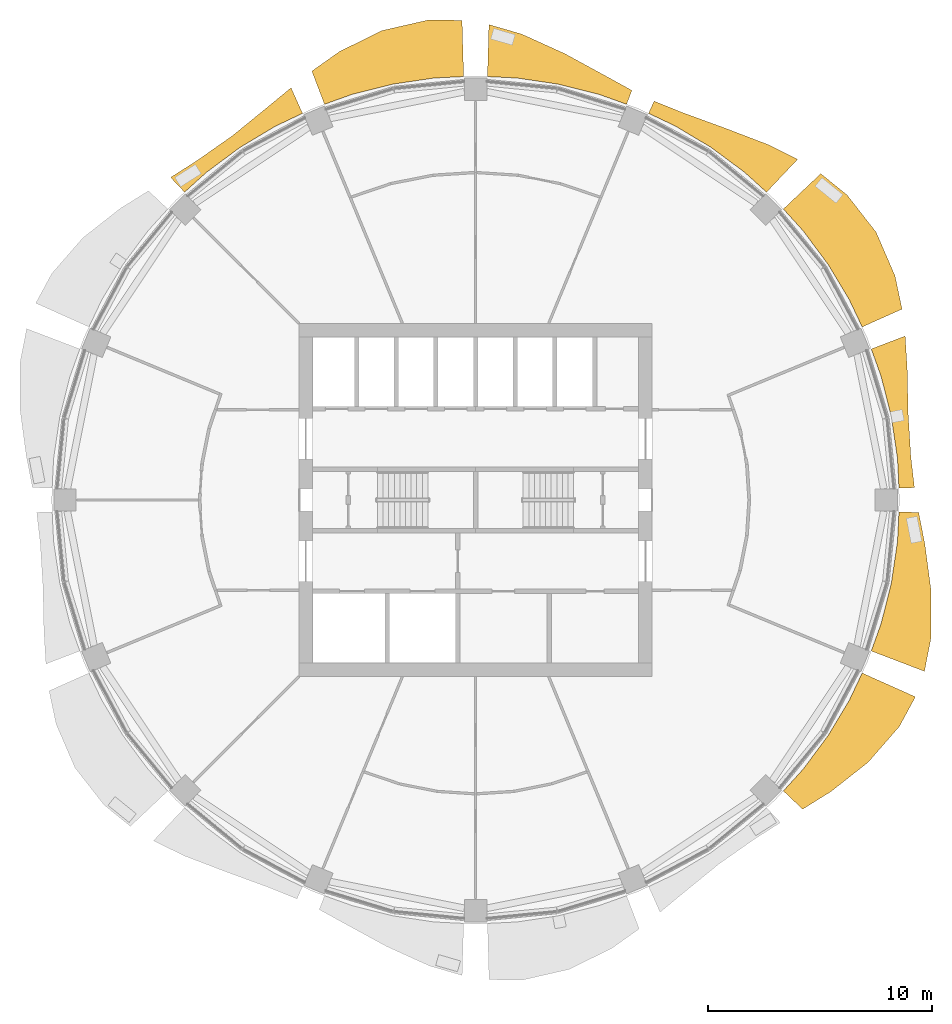
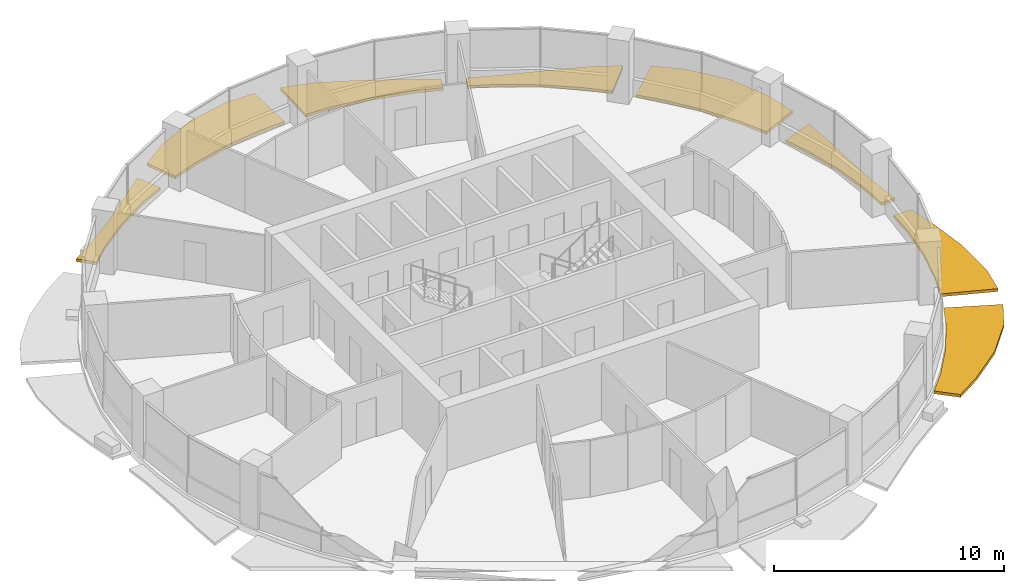
# One storey, part 13 of 14: 8 shading devices.
"""IFC4 building model written with IfcOpenShell, lengths in metres."""

from ifc_helpers import new_model, si_unit, direction, frame, origin, place, context, subcontext, project, spatial, polyline, outline, extrude, material, type_object, element, save


model = new_model("IFC4")

# Units and contexts
model_context = context("Model", 3, precision=1e-05, world=origin(), true_north=direction((0.0, 1.0)))
body_context = subcontext(model_context, "Body", "Model", "MODEL_VIEW")
ifc_project = project(units=[si_unit("LENGTHUNIT", "METRE"), si_unit("AREAUNIT", "SQUARE_METRE"), si_unit("VOLUMEUNIT", "CUBIC_METRE"), si_unit("PLANEANGLEUNIT", "RADIAN"), si_unit("MASSUNIT", "GRAM", prefix="KILO")], contexts=[model_context])

# Site, building, storey
site_placement = place(None, origin())
site = spatial("IfcSite", under=ifc_project, at=site_placement, CompositionType="ELEMENT")
building_placement = place(site_placement, origin())
building = spatial("IfcBuilding", under=site, at=building_placement, Name="Polderwave Tower", CompositionType="ELEMENT")
storey_placement = place(building_placement, frame((0.0, 0.0, 141.050048828125)))
storey = spatial("IfcBuildingStorey", under=building, at=storey_placement, Name="L37", CompositionType="ELEMENT", Elevation=141.050048828125)

# Shading devices
ifc_material = material(Name="Terracotta", Category="masonry")
shading_device_type = type_object("IfcShadingDeviceType", Name="Terracotta sunshade band", PredefinedType="USERDEFINED", material=ifc_material)
shading_device_1_placement = place(storey_placement, frame((0.0, 0.0, -0.35009765625)))
element("IfcShadingDevice", 1, at=shading_device_1_placement, inside=storey, type_object=shading_device_type, Name="Sunshade band L37 1", ObjectType="SUNSHADE", PredefinedType="USERDEFINED", context=body_context, shape_type="SweptSolid", body=[
    extrude(outline(polyline([(18.8740234375, 0.5302734375), (18.80908203125, 1.8525390625), (18.536865234375, 3.687255859375), (18.086181640625, 5.486328125), (17.64013671875, 6.73291015625), (19.152099609375, 7.31005859375), (19.24267578125, 5.837158203125), (19.285400390625, 3.836181640625), (19.406005859375, 1.911376953125), (19.564697265625, 0.549560546875), (18.8740234375, 0.5302734375)])), origin(), (0.0, 0.0, 1.0), 0.150146484375),
])
shading_device_2_placement = place(storey_placement, frame((0.0, 0.0, -0.35009765625)))
element("IfcShadingDevice", 2, at=shading_device_2_placement, inside=storey, type_object=shading_device_type, Name="Sunshade band L37 2", ObjectType="SUNSHADE", PredefinedType="USERDEFINED", context=body_context, shape_type="SweptSolid", body=[
    extrude(outline(polyline([(17.234375, 7.712646484375), (16.668212890625, 8.909423828125), (15.71484375, 10.500244140625), (14.60986328125, 11.989990234375), (13.720703125, 12.970947265625), (15.387939453125, 14.547119140625), (16.563720703125, 13.593505859375), (17.85888671875, 11.93310546875), (18.697021484375, 9.99365234375), (19.01220703125, 8.50830078125), (17.234375, 7.712646484375)])), origin(), (0.0, 0.0, 1.0), 0.150146484375),
])
shading_device_3_placement = place(storey_placement, frame((0.0, 0.0, -0.35009765625)))
element("IfcShadingDevice", 3, at=shading_device_3_placement, inside=storey, type_object=shading_device_type, Name="Sunshade band L37 3", ObjectType="SUNSHADE", PredefinedType="USERDEFINED", context=body_context, shape_type="SweptSolid", body=[
    extrude(outline(polyline([(12.970947265625, 13.720703125), (11.989990234375, 14.60986328125), (10.500244140625, 15.71484375), (8.909423828125, 16.668212890625), (7.712646484375, 17.234375), (7.957763671875, 17.7822265625), (9.22998046875, 17.267822265625), (11.0849609375, 16.58984375), (13.01123046875, 15.85400390625), (14.356689453125, 15.1865234375), (12.970947265625, 13.720703125)])), origin(), (0.0, 0.0, 1.0), 0.150146484375),
])
shading_device_4_placement = place(storey_placement, frame((0.0, 0.0, -0.35009765625)))
element("IfcShadingDevice", 4, at=shading_device_4_placement, inside=storey, type_object=shading_device_type, Name="Sunshade band L37 4", ObjectType="SUNSHADE", PredefinedType="USERDEFINED", context=body_context, shape_type="SweptSolid", body=[
    extrude(outline(polyline([(6.73291015625, 17.64013671875), (5.486328125, 18.086181640625), (3.687255859375, 18.536865234375), (1.8525390625, 18.80908203125), (0.5302734375, 18.8740234375), (0.59521484375, 21.19287109375), (2.0458984375, 20.773193359375), (3.95947265625, 19.905517578125), (5.74365234375, 18.93408203125), (6.96923828125, 18.259033203125), (6.73291015625, 17.64013671875)])), origin(), (0.0, 0.0, 1.0), 0.150146484375),
])
shading_device_5_placement = place(storey_placement, frame((0.0, 0.0, -0.35009765625)))
element("IfcShadingDevice", 5, at=shading_device_5_placement, inside=storey, type_object=shading_device_type, Name="Sunshade band L37 5", ObjectType="SUNSHADE", PredefinedType="USERDEFINED", context=body_context, shape_type="SweptSolid", body=[
    extrude(outline(polyline([(-0.5302734375, 18.8740234375), (-1.8525390625, 18.80908203125), (-3.687255859375, 18.536865234375), (-5.486328125, 18.086181640625), (-6.73291015625, 17.64013671875), (-7.297119140625, 19.117919921875), (-6.064453125, 19.991943359375), (-4.16259765625, 20.9267578125), (-2.107421875, 21.396484375), (-0.6005859375, 21.3818359375), (-0.5302734375, 18.8740234375)])), origin(), (0.0, 0.0, 1.0), 0.150146484375),
])
shading_device_6_placement = place(storey_placement, frame((0.0, 0.0, -0.35009765625)))
element("IfcShadingDevice", 6, at=shading_device_6_placement, inside=storey, type_object=shading_device_type, Name="Sunshade band L37 6", ObjectType="SUNSHADE", PredefinedType="USERDEFINED", context=body_context, shape_type="SweptSolid", body=[
    extrude(outline(polyline([(-7.712646484375, 17.234375), (-8.909423828125, 16.668212890625), (-10.500244140625, 15.71484375), (-11.989990234375, 14.60986328125), (-12.970947265625, 13.720703125), (-13.593505859375, 14.379150390625), (-12.416748046875, 15.129638671875), (-10.845458984375, 16.231201171875), (-9.33349609375, 17.4619140625), (-8.22412109375, 18.377197265625), (-7.712646484375, 17.234375)])), origin(), (0.0, 0.0, 1.0), 0.150146484375),
])
shading_device_7_placement = place(storey_placement, frame((0.0, 0.0, -0.35009765625)))
element("IfcShadingDevice", 7, at=shading_device_7_placement, inside=storey, type_object=shading_device_type, Name="Sunshade band L37 15", ObjectType="SUNSHADE", PredefinedType="USERDEFINED", context=body_context, shape_type="SweptSolid", body=[
    extrude(outline(polyline([(13.720703125, -12.970947265625), (14.60986328125, -11.989990234375), (15.71484375, -10.500244140625), (16.668212890625, -8.909423828125), (17.234375, -7.712646484375), (19.607421875, -8.7744140625), (18.890869140625, -10.097412109375), (17.50048828125, -11.693359375), (15.83935546875, -12.9990234375), (14.580322265625, -13.78369140625), (13.720703125, -12.970947265625)])), origin(), (0.0, 0.0, 1.0), 0.150146484375),
])
shading_device_8_placement = place(storey_placement, frame((0.0, 0.0, -0.35009765625)))
element("IfcShadingDevice", 8, at=shading_device_8_placement, inside=storey, type_object=shading_device_type, Name="Sunshade band L37 16", ObjectType="SUNSHADE", PredefinedType="USERDEFINED", context=body_context, shape_type="SweptSolid", body=[
    extrude(outline(polyline([(17.64013671875, -6.73291015625), (18.086181640625, -5.486328125), (18.536865234375, -3.687255859375), (18.80908203125, -1.8525390625), (18.8740234375, -0.5302734375), (19.753662109375, -0.554931640625), (20.029296875, -1.97265625), (20.306640625, -4.039306640625), (20.30029296875, -6.158203125), (20.010986328125, -7.6376953125), (17.64013671875, -6.73291015625)])), origin(), (0.0, 0.0, 1.0), 0.150146484375),
])

save(model, "model.ifc")
